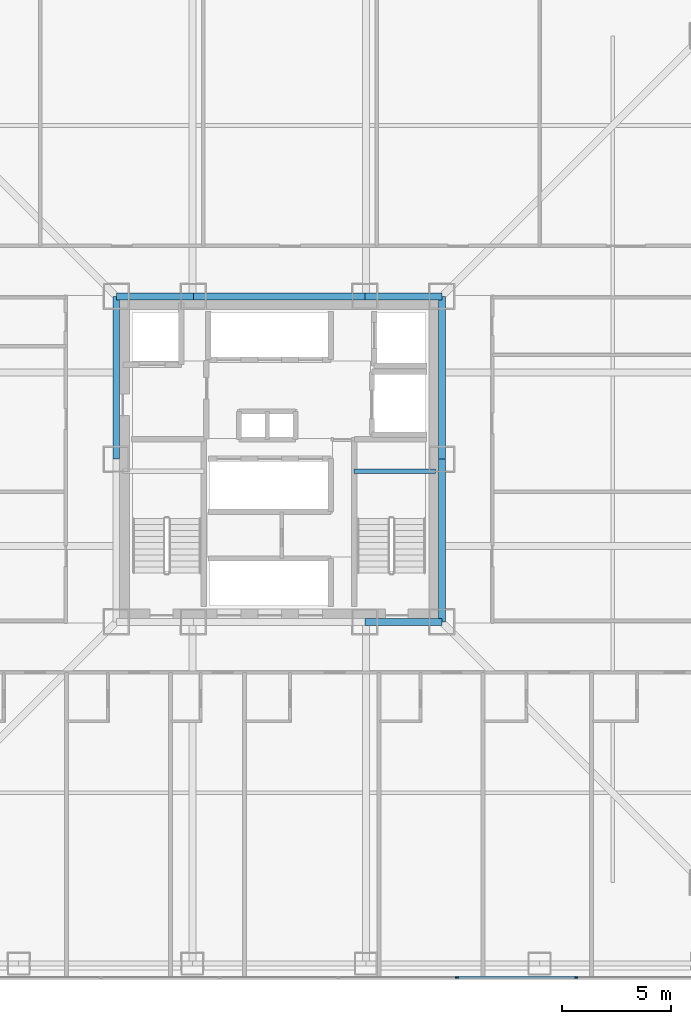
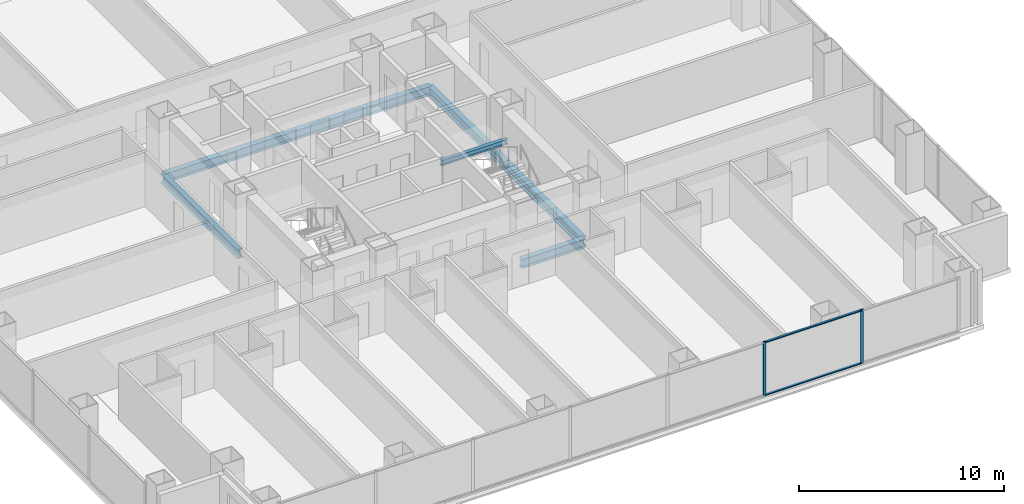
# One storey, part 7 of 20: 8 beams, 4 members, 1 element without a shape of its own.
"""IFC4 building model written with IfcOpenShell, lengths in metres."""

from ifc_helpers import new_model, si_unit, direction, frame, origin, origin_2d, place, context, subcontext, project, spatial, rectangle, i_section, extrude, material, layer, layer_set, material_profile, profile_set, type_object, element, aggregate, save


model = new_model("IFC4")

# Units and contexts
model_context = context("Model", 3, precision=1e-05, world=origin(), true_north=direction((0.0, 1.0)))
body_context = subcontext(model_context, "Body", "Model", "MODEL_VIEW")
ifc_project = project(units=[si_unit("LENGTHUNIT", "METRE"), si_unit("AREAUNIT", "SQUARE_METRE"), si_unit("VOLUMEUNIT", "CUBIC_METRE"), si_unit("PLANEANGLEUNIT", "RADIAN"), si_unit("MASSUNIT", "GRAM", prefix="KILO")], contexts=[model_context])

# Site, building, storey
site_placement = place(None, origin())
site = spatial("IfcSite", under=ifc_project, at=site_placement, CompositionType="ELEMENT")
building_placement = place(site_placement, origin())
building = spatial("IfcBuilding", under=site, at=building_placement, Name="Trevonay Congress Spire", CompositionType="ELEMENT")
storey_placement = place(building_placement, frame((0.0, 0.0, 62.0)))
storey = spatial("IfcBuildingStorey", under=building, at=storey_placement, Name="L15", CompositionType="ELEMENT", Elevation=62.0)

# Beams
ifc_material_1 = material(Name="Steel ASTM A572 Grade 50", Category="steel")
ifc_material_profile_1 = material_profile(ifc_material_1, i_section(OverallWidth=0.31201171875, OverallDepth=0.54296875, WebThickness=0.0126953125, FlangeThickness=0.020263671875, FilletRadius=0.014892578125, at=origin_2d()), Name="W530x150")
ifc_profile_set_1 = profile_set([ifc_material_profile_1], Name="Steel ASTM A572 Grade 50")
beam_type_1 = type_object("IfcBeamType", Name="BM-GIRD-W530X150", PredefinedType="BEAM", material=ifc_profile_set_1)
for number, where, z_axis, x_axis, name in (
    (1, (3.949951171875, -7.5, -0.521484375), (1.0, 0.0, 0.0), (0.0, 1.0, 0.0), "L15 structural beam BM-L15-CR-S3"),
    (2, (-7.5, 7.5, -0.521484375), (1.0, 0.0, 0.0), (0.0, 1.0, 0.0), "L15 structural beam BM-L15-CR-N1"),
):
    element("IfcBeam", number, at=place(storey_placement, frame(where, z_axis=z_axis, x_axis=x_axis)), inside=storey, type_object=beam_type_1, Name=name, PredefinedType="BEAM", context=body_context, shape_type="SweptSolid", body=[
        extrude(i_section(OverallWidth=0.31201171875, OverallDepth=0.54296875, WebThickness=0.0126953125, FlangeThickness=0.020263671875, FilletRadius=0.014892578125, at=origin_2d()), origin(), (0.0, 0.0, 1.0), 3.550048828125),
    ])
beam_1_placement = place(storey_placement, frame((-3.949951171875, 7.5, -0.521484375), z_axis=(1.0, 0.0, 0.0), x_axis=(0.0, 1.0, 0.0)))
element("IfcBeam", 3, at=beam_1_placement, inside=storey, type_object=beam_type_1, Name="L15 structural beam BM-L15-CR-N2", PredefinedType="BEAM", context=body_context, shape_type="SweptSolid", body=[
    extrude(i_section(OverallWidth=0.31201171875, OverallDepth=0.54296875, WebThickness=0.0126953125, FlangeThickness=0.020263671875, FilletRadius=0.014892578125, at=origin_2d()), origin(), (0.0, 0.0, 1.0), 7.89990234375),
])
beam_2_placement = place(storey_placement, frame((3.949951171875, 7.5, -0.521484375), z_axis=(1.0, 0.0, 0.0), x_axis=(0.0, 1.0, 0.0)))
element("IfcBeam", 4, at=beam_2_placement, inside=storey, type_object=beam_type_1, Name="L15 structural beam BM-L15-CR-N3", PredefinedType="BEAM", context=body_context, shape_type="SweptSolid", body=[
    extrude(i_section(OverallWidth=0.31201171875, OverallDepth=0.54296875, WebThickness=0.0126953125, FlangeThickness=0.020263671875, FilletRadius=0.014892578125, at=origin_2d()), origin(), (0.0, 0.0, 1.0), 3.550048828125),
])
for number, where, z_axis, x_axis, name in (
    (5, (-7.5, 0.0, -0.521484375), (0.0, 1.0, 0.0), (-1.0, 0.0, 0.0), "L15 structural beam BM-L15-CR-W2"),
    (6, (7.5, -7.5, -0.521484375), (0.0, 1.0, 0.0), (-1.0, 0.0, 0.0), "L15 structural beam BM-L15-CR-E1"),
    (7, (7.5, 0.0, -0.521484375), (0.0, 1.0, 0.0), (-1.0, 0.0, 0.0), "L15 structural beam BM-L15-CR-E2"),
):
    element("IfcBeam", number, at=place(storey_placement, frame(where, z_axis=z_axis, x_axis=x_axis)), inside=storey, type_object=beam_type_1, Name=name, PredefinedType="BEAM", context=body_context, shape_type="SweptSolid", body=[
        extrude(i_section(OverallWidth=0.31201171875, OverallDepth=0.54296875, WebThickness=0.0126953125, FlangeThickness=0.020263671875, FilletRadius=0.014892578125, at=origin_2d()), origin(), (0.0, 0.0, 1.0), 7.5),
    ])

# Curtain wall, members
ifc_material_2 = material(Name="Pale Anodised Aluminium EN AW-6063-T6", Category="aluminium")
ifc_layer = layer(ifc_material_2, 0.179931640625, Name="Pale Anodised Aluminium EN AW-6063-T6")
ifc_layer_set = layer_set([ifc_layer], Name="Pale Anodised Aluminium EN AW-6063-T6")
curtain_wall_type = type_object("IfcCurtainWallType", Name="CW-SYS02-HOTEL-PALE-METAL", PredefinedType="NOTDEFINED", material=ifc_layer_set)
curtain_wall_placement = place(storey_placement, origin())
curtain_wall = element("IfcCurtainWall", 8, at=curtain_wall_placement, inside=storey, type_object=curtain_wall_type, Name="L15 S unitised curtain wall", PredefinedType="NOTDEFINED")
ifc_material_profile_2 = material_profile(ifc_material_2, rectangle(XDim=0.06005859375, YDim=0.159912109375, at=origin_2d()), Name="CW-MULLION-160-ALUMINIUM")
ifc_profile_set_2 = profile_set([ifc_material_profile_2], Name="Pale Anodised Aluminium EN AW-6063-T6")
member_type_1 = type_object("IfcMemberType", Name="CW-MULLION-160-ALUMINIUM", PredefinedType="MULLION", material=ifc_profile_set_2)
member_1_placement = place(storey_placement, frame((8.20703125, -23.8798828125, 0.0), z_axis=(0.0, 0.0, 1.0), x_axis=(0.0, 1.0, 0.0)))
member_1 = element("IfcMember", 9, at=member_1_placement, type_object=member_type_1, Name="CW02 mullion 6", PredefinedType="MULLION", context=body_context, shape_type="SweptSolid", body=[
    extrude(rectangle(XDim=0.06005859375, YDim=0.159912109375, at=origin_2d()), origin(), (0.0, 0.0, 1.0), 3.25),
])
member_2_placement = place(storey_placement, frame((13.678466796875, -23.8798828125, 0.0), z_axis=(0.0, 0.0, 1.0), x_axis=(0.0, 1.0, 0.0)))
member_2 = element("IfcMember", 10, at=member_2_placement, type_object=member_type_1, Name="CW02 mullion 7", PredefinedType="MULLION", context=body_context, shape_type="SweptSolid", body=[
    extrude(rectangle(XDim=0.06005859375, YDim=0.159912109375, at=origin_2d()), origin(), (0.0, 0.0, 1.0), 3.25),
])
ifc_material_profile_3 = material_profile(ifc_material_2, rectangle(XDim=0.1201171875, YDim=0.06005859375, at=origin_2d()), Name="CW-TRANSOM-120-ALUMINIUM")
ifc_profile_set_3 = profile_set([ifc_material_profile_3], Name="Pale Anodised Aluminium EN AW-6063-T6")
member_type_2 = type_object("IfcMemberType", Name="CW-TRANSOM-120-ALUMINIUM", PredefinedType="USERDEFINED", material=ifc_profile_set_3)
member_3_placement = place(storey_placement, frame((8.237060546875, -23.8798828125, 0.06005859375), z_axis=(1.0, 0.0, 0.0), x_axis=(0.0, 1.0, 0.0)))
member_3 = element("IfcMember", 11, at=member_3_placement, type_object=member_type_2, Name="CW02 transom 6.1", ObjectType="TRANSOM", PredefinedType="USERDEFINED", context=body_context, shape_type="SweptSolid", body=[
    extrude(rectangle(XDim=0.1201171875, YDim=0.06005859375, at=origin_2d()), origin(), (0.0, 0.0, 1.0), 5.41162109375),
])
member_4_placement = place(storey_placement, frame((8.237060546875, -23.8798828125, 3.18994140625), z_axis=(1.0, 0.0, 0.0), x_axis=(0.0, 1.0, 0.0)))
member_4 = element("IfcMember", 12, at=member_4_placement, type_object=member_type_2, Name="CW02 transom 6.2", ObjectType="TRANSOM", PredefinedType="USERDEFINED", context=body_context, shape_type="SweptSolid", body=[
    extrude(rectangle(XDim=0.1201171875, YDim=0.06005859375, at=origin_2d()), origin(), (0.0, 0.0, 1.0), 5.41162109375),
])
aggregate(curtain_wall, [member_1, member_2, member_3, member_4])

# Beam
ifc_material_profile_4 = material_profile(ifc_material_1, i_section(OverallWidth=0.2041015625, OverallDepth=0.305908203125, WebThickness=0.008544921875, FlangeThickness=0.0146484375, FilletRadius=0.010986328125, at=origin_2d()), Name="W310x67")
ifc_profile_set_4 = profile_set([ifc_material_profile_4], Name="Steel ASTM A572 Grade 50")
beam_type_2 = type_object("IfcBeamType", Name="LN-CORE-W310X67", PredefinedType="LINTEL", material=ifc_profile_set_4)
beam_3_placement = place(storey_placement, frame((3.449951171875, -0.550048828125, 1.39697265625), z_axis=(1.0, 0.0, 0.0), x_axis=(0.0, 1.0, 0.0)))
element("IfcBeam", 13, at=beam_3_placement, inside=storey, type_object=beam_type_2, Name="L15 structural beam BM-L15-HL-ST2", PredefinedType="LINTEL", context=body_context, shape_type="SweptSolid", body=[
    extrude(i_section(OverallWidth=0.2041015625, OverallDepth=0.305908203125, WebThickness=0.008544921875, FlangeThickness=0.0146484375, FilletRadius=0.010986328125, at=origin_2d()), origin(), (0.0, 0.0, 1.0), 3.75),
])

save(model, "model.ifc")
